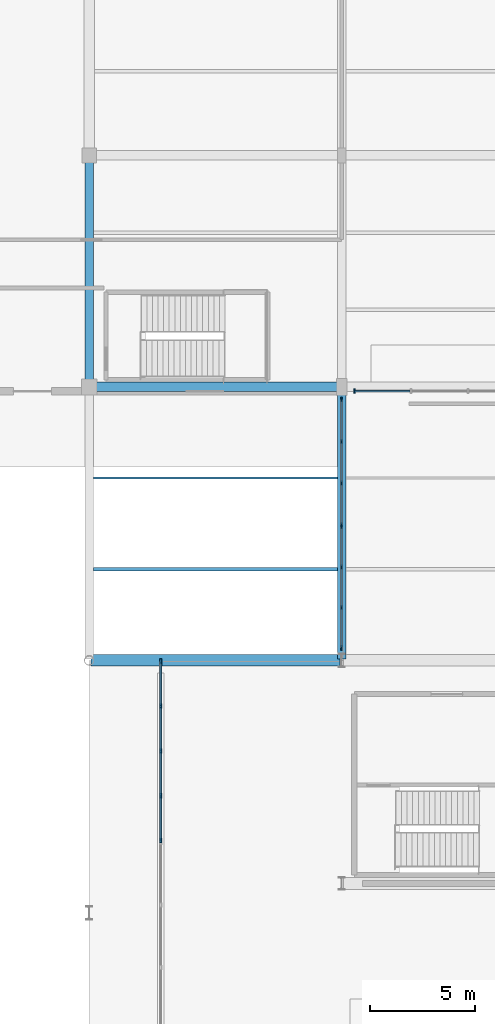
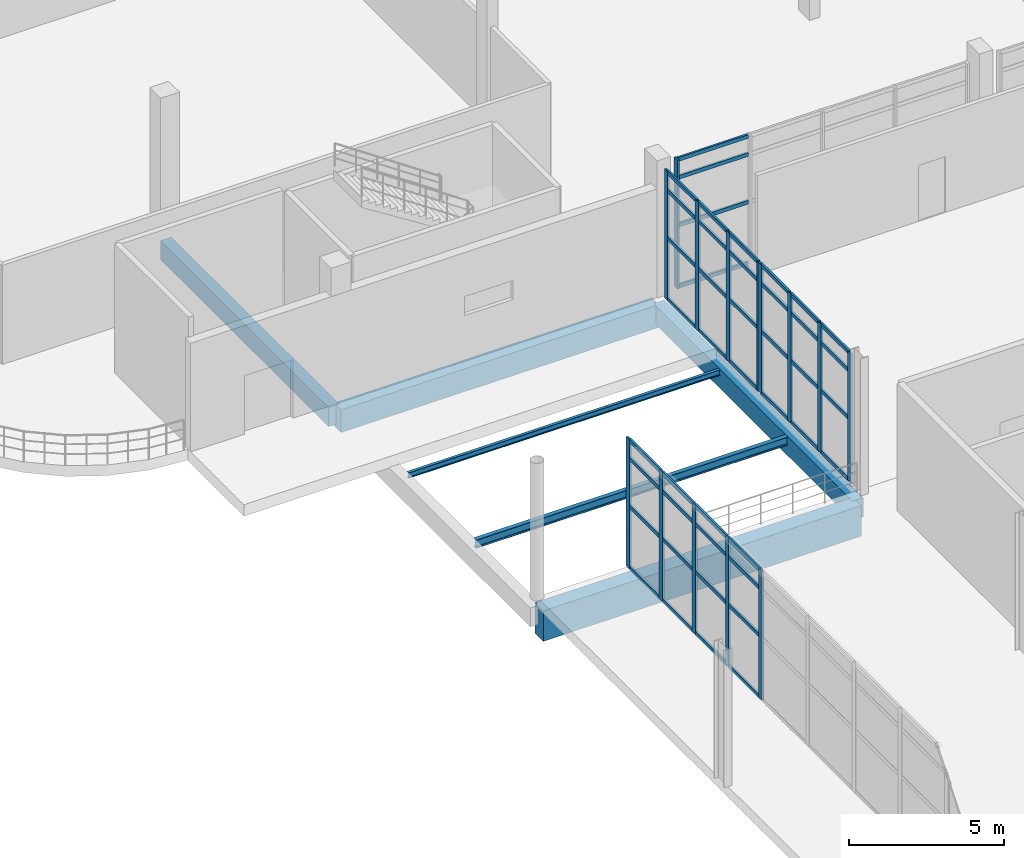
# One storey, part 24 of 85: 58 members, 6 beams, 4 elements without a shape of their own.
"""IFC4 building model written with IfcOpenShell, lengths in metres."""

from ifc_helpers import new_model, si_unit, direction, frame, origin, origin_2d, place, context, subcontext, project, spatial, rectangle, i_section, extrude, material, material_profile, profile_set, type_object, element, aggregate, save


model = new_model("IFC4")

# Units and contexts
model_context = context("Model", 3, precision=1e-05, world=origin(), true_north=direction((0.0, 1.0)))
body_context = subcontext(model_context, "Body", "Model", "MODEL_VIEW")
ifc_project = project(units=[si_unit("LENGTHUNIT", "METRE"), si_unit("AREAUNIT", "SQUARE_METRE"), si_unit("VOLUMEUNIT", "CUBIC_METRE"), si_unit("PLANEANGLEUNIT", "RADIAN"), si_unit("MASSUNIT", "GRAM", prefix="KILO"), si_unit("THERMODYNAMICTEMPERATUREUNIT", "KELVIN"), si_unit("POWERUNIT", "WATT")], contexts=[model_context])

# Site, building, storey
site_placement = place(None, origin())
site = spatial("IfcSite", under=ifc_project, at=site_placement, CompositionType="ELEMENT")
building_placement = place(site_placement, origin())
building = spatial("IfcBuilding", under=site, at=building_placement, Name="Solmara Park Aquatics Centre", CompositionType="ELEMENT")
storey_placement = place(building_placement, origin())
storey = spatial("IfcBuildingStorey", under=building, at=storey_placement, Name="L00", CompositionType="ELEMENT", Elevation=0.0)

# Curtain wall, members
ifc_material_1 = material(Name="Anodised Aluminium Curtain Wall Framing", Category="aluminium")
curtain_wall_type_1 = type_object("IfcCurtainWallType", Name="ARC-CW-SYS01", PredefinedType="USERDEFINED", material=ifc_material_1)
curtain_wall_1_placement = place(storey_placement, origin())
curtain_wall_1 = element("IfcCurtainWall", 1, at=curtain_wall_1_placement, inside=storey, type_object=curtain_wall_type_1, Name="Curtain Wall CW-019", ObjectType="CURTAIN WALL", PredefinedType="USERDEFINED")
ifc_material_2 = material(Name="Anodised Aluminium Alloy 6063-T6", Category="aluminium")
ifc_material_profile_1 = material_profile(ifc_material_2, rectangle(XDim=0.074951171875, YDim=0.219970703125, at=origin_2d()), Name="ALU MULLION 75x220")
ifc_profile_set_1 = profile_set([ifc_material_profile_1], Name="Anodised Aluminium Alloy 6063-T6")
member_type_1 = type_object("IfcMemberType", Name="ARC-CWM-75x220", PredefinedType="MULLION", material=ifc_profile_set_1)
member_1_placement = place(storey_placement, frame((16.0, 64.0400390625, 0.0), z_axis=(0.0, 0.0, 1.0), x_axis=(1.0, 0.0, 0.0)))
member_1 = element("IfcMember", 2, at=member_1_placement, type_object=member_type_1, Name="CW-019 mullion 1", PredefinedType="MULLION", context=body_context, shape_type="SweptSolid", body=[
    extrude(rectangle(XDim=0.074951171875, YDim=0.219970703125, at=origin_2d()), origin(), (0.0, 0.0, 1.0), 5.080078125),
])
member_2_placement = place(storey_placement, frame((16.0, 66.169921875, 0.0), z_axis=(0.0, 0.0, 1.0), x_axis=(1.0, 0.0, 0.0)))
member_2 = element("IfcMember", 3, at=member_2_placement, type_object=member_type_1, Name="CW-019 mullion 2", PredefinedType="MULLION", context=body_context, shape_type="SweptSolid", body=[
    extrude(rectangle(XDim=0.074951171875, YDim=0.219970703125, at=origin_2d()), origin(), (0.0, 0.0, 1.0), 5.080078125),
])
member_3_placement = place(storey_placement, frame((16.0, 68.300048828125, 0.0), z_axis=(0.0, 0.0, 1.0), x_axis=(1.0, 0.0, 0.0)))
member_3 = element("IfcMember", 4, at=member_3_placement, type_object=member_type_1, Name="CW-019 mullion 3", PredefinedType="MULLION", context=body_context, shape_type="SweptSolid", body=[
    extrude(rectangle(XDim=0.074951171875, YDim=0.219970703125, at=origin_2d()), origin(), (0.0, 0.0, 1.0), 5.080078125),
])
member_4_placement = place(storey_placement, frame((16.0, 70.429931640625, 0.0), z_axis=(0.0, 0.0, 1.0), x_axis=(1.0, 0.0, 0.0)))
member_4 = element("IfcMember", 5, at=member_4_placement, type_object=member_type_1, Name="CW-019 mullion 4", PredefinedType="MULLION", context=body_context, shape_type="SweptSolid", body=[
    extrude(rectangle(XDim=0.074951171875, YDim=0.219970703125, at=origin_2d()), origin(), (0.0, 0.0, 1.0), 5.080078125),
])
member_5_placement = place(storey_placement, frame((16.0, 72.56005859375, 0.0), z_axis=(0.0, 0.0, 1.0), x_axis=(1.0, 0.0, 0.0)))
member_5 = element("IfcMember", 6, at=member_5_placement, type_object=member_type_1, Name="CW-019 mullion 5", PredefinedType="MULLION", context=body_context, shape_type="SweptSolid", body=[
    extrude(rectangle(XDim=0.074951171875, YDim=0.219970703125, at=origin_2d()), origin(), (0.0, 0.0, 1.0), 5.080078125),
])

curtain_wall_type_2 = type_object("IfcCurtainWallType", Name="ARC-CW-SYS02", PredefinedType="USERDEFINED", material=ifc_material_1)
curtain_wall_2_placement = place(storey_placement, origin())
curtain_wall_2 = element("IfcCurtainWall", 7, at=curtain_wall_2_placement, inside=storey, type_object=curtain_wall_type_2, Name="Curtain Wall CW-097", ObjectType="CURTAIN WALL", PredefinedType="USERDEFINED")
member_6_placement = place(storey_placement, frame((24.60009765625, 73.199951171875, 0.0), z_axis=(0.0, 0.0, 1.0), x_axis=(1.0, 0.0, 0.0)))
member_6 = element("IfcMember", 8, at=member_6_placement, type_object=member_type_1, Name="CW-097 mullion 1", PredefinedType="MULLION", context=body_context, shape_type="SweptSolid", body=[
    extrude(rectangle(XDim=0.074951171875, YDim=0.219970703125, at=origin_2d()), origin(), (0.0, 0.0, 1.0), 5.080078125),
])
member_7_placement = place(storey_placement, frame((24.60009765625, 75.1201171875, 0.0), z_axis=(0.0, 0.0, 1.0), x_axis=(1.0, 0.0, 0.0)))
member_7 = element("IfcMember", 9, at=member_7_placement, type_object=member_type_1, Name="CW-097 mullion 2", PredefinedType="MULLION", context=body_context, shape_type="SweptSolid", body=[
    extrude(rectangle(XDim=0.074951171875, YDim=0.219970703125, at=origin_2d()), origin(), (0.0, 0.0, 1.0), 5.080078125),
])
member_8_placement = place(storey_placement, frame((24.60009765625, 77.0400390625, 0.0), z_axis=(0.0, 0.0, 1.0), x_axis=(1.0, 0.0, 0.0)))
member_8 = element("IfcMember", 10, at=member_8_placement, type_object=member_type_1, Name="CW-097 mullion 3", PredefinedType="MULLION", context=body_context, shape_type="SweptSolid", body=[
    extrude(rectangle(XDim=0.074951171875, YDim=0.219970703125, at=origin_2d()), origin(), (0.0, 0.0, 1.0), 5.080078125),
])
member_9_placement = place(storey_placement, frame((24.60009765625, 78.9599609375, 0.0), z_axis=(0.0, 0.0, 1.0), x_axis=(1.0, 0.0, 0.0)))
member_9 = element("IfcMember", 11, at=member_9_placement, type_object=member_type_1, Name="CW-097 mullion 4", PredefinedType="MULLION", context=body_context, shape_type="SweptSolid", body=[
    extrude(rectangle(XDim=0.074951171875, YDim=0.219970703125, at=origin_2d()), origin(), (0.0, 0.0, 1.0), 5.080078125),
])

curtain_wall_3_placement = place(storey_placement, origin())
curtain_wall_3 = element("IfcCurtainWall", 12, at=curtain_wall_3_placement, inside=storey, type_object=curtain_wall_type_2, Name="Curtain Wall CW-101", ObjectType="CURTAIN WALL", PredefinedType="USERDEFINED")
member_10_placement = place(storey_placement, frame((24.60009765625, 79.0400390625, 0.0), z_axis=(0.0, 0.0, 1.0), x_axis=(1.0, 0.0, 0.0)))
member_10 = element("IfcMember", 13, at=member_10_placement, type_object=member_type_1, Name="CW-101 mullion 1", PredefinedType="MULLION", context=body_context, shape_type="SweptSolid", body=[
    extrude(rectangle(XDim=0.074951171875, YDim=0.219970703125, at=origin_2d()), origin(), (0.0, 0.0, 1.0), 5.080078125),
])
member_11_placement = place(storey_placement, frame((24.60009765625, 81.026611328125, 0.0), z_axis=(0.0, 0.0, 1.0), x_axis=(1.0, 0.0, 0.0)))
member_11 = element("IfcMember", 14, at=member_11_placement, type_object=member_type_1, Name="CW-101 mullion 2", PredefinedType="MULLION", context=body_context, shape_type="SweptSolid", body=[
    extrude(rectangle(XDim=0.074951171875, YDim=0.219970703125, at=origin_2d()), origin(), (0.0, 0.0, 1.0), 5.080078125),
])
member_12_placement = place(storey_placement, frame((24.60009765625, 83.01318359375, 0.0), z_axis=(0.0, 0.0, 1.0), x_axis=(1.0, 0.0, 0.0)))
member_12 = element("IfcMember", 15, at=member_12_placement, type_object=member_type_1, Name="CW-101 mullion 3", PredefinedType="MULLION", context=body_context, shape_type="SweptSolid", body=[
    extrude(rectangle(XDim=0.074951171875, YDim=0.219970703125, at=origin_2d()), origin(), (0.0, 0.0, 1.0), 5.080078125),
])
member_13_placement = place(storey_placement, frame((24.60009765625, 85.0, 0.0), z_axis=(0.0, 0.0, 1.0), x_axis=(1.0, 0.0, 0.0)))
member_13 = element("IfcMember", 16, at=member_13_placement, type_object=member_type_1, Name="CW-101 mullion 4", PredefinedType="MULLION", context=body_context, shape_type="SweptSolid", body=[
    extrude(rectangle(XDim=0.074951171875, YDim=0.219970703125, at=origin_2d()), origin(), (0.0, 0.0, 1.0), 5.080078125),
])

# Curtain wall, member
curtain_wall_4_placement = place(storey_placement, origin())
curtain_wall_4 = element("IfcCurtainWall", 17, at=curtain_wall_4_placement, inside=storey, type_object=curtain_wall_type_2, Name="Curtain Wall CW-107", ObjectType="CURTAIN WALL", PredefinedType="USERDEFINED")
member_14_placement = place(storey_placement, frame((25.199951171875, 85.39990234375, 0.0), z_axis=(0.0, 0.0, 1.0), x_axis=(1.0, 0.0, 0.0)))
member_14 = element("IfcMember", 18, at=member_14_placement, type_object=member_type_1, Name="CW-107 mullion 1", PredefinedType="MULLION", context=body_context, shape_type="SweptSolid", body=[
    extrude(rectangle(XDim=0.074951171875, YDim=0.219970703125, at=origin_2d()), origin(), (0.0, 0.0, 1.0), 5.080078125),
])

# Member
ifc_material_profile_2 = material_profile(ifc_material_2, rectangle(XDim=0.074951171875, YDim=0.14990234375, at=origin_2d()), Name="ALU TRANSOM 75x150")
ifc_profile_set_2 = profile_set([ifc_material_profile_2], Name="Anodised Aluminium Alloy 6063-T6")
member_type_2 = type_object("IfcMemberType", Name="ARC-CWT-75x150", PredefinedType="USERDEFINED", material=ifc_profile_set_2)
member_15_placement = place(storey_placement, frame((16.0, 64.06005859375, 0.0400390625), z_axis=(0.0, 1.0, 0.0), x_axis=(-1.0, 0.0, 0.0)))
member_15 = element("IfcMember", 19, at=member_15_placement, type_object=member_type_2, Name="CW-019 transom 1", ObjectType="TRANSOM", PredefinedType="USERDEFINED", context=body_context, shape_type="SweptSolid", body=[
    extrude(rectangle(XDim=0.074951171875, YDim=0.14990234375, at=origin_2d()), origin(), (0.0, 0.0, 1.0), 2.050048828125),
])

member_16_placement = place(storey_placement, frame((16.0, 64.06005859375, 2.449951171875), z_axis=(0.0, 1.0, 0.0), x_axis=(-1.0, 0.0, 0.0)))
member_16 = element("IfcMember", 20, at=member_16_placement, type_object=member_type_2, Name="CW-019 transom 2", ObjectType="TRANSOM", PredefinedType="USERDEFINED", context=body_context, shape_type="SweptSolid", body=[
    extrude(rectangle(XDim=0.074951171875, YDim=0.14990234375, at=origin_2d()), origin(), (0.0, 0.0, 1.0), 2.050048828125),
])

member_17_placement = place(storey_placement, frame((16.0, 64.06005859375, 4.330078125), z_axis=(0.0, 1.0, 0.0), x_axis=(-1.0, 0.0, 0.0)))
member_17 = element("IfcMember", 21, at=member_17_placement, type_object=member_type_2, Name="CW-019 transom 3", ObjectType="TRANSOM", PredefinedType="USERDEFINED", context=body_context, shape_type="SweptSolid", body=[
    extrude(rectangle(XDim=0.074951171875, YDim=0.14990234375, at=origin_2d()), origin(), (0.0, 0.0, 1.0), 2.050048828125),
])

member_18_placement = place(storey_placement, frame((16.0, 64.06005859375, 5.0400390625), z_axis=(0.0, 1.0, 0.0), x_axis=(-1.0, 0.0, 0.0)))
member_18 = element("IfcMember", 22, at=member_18_placement, type_object=member_type_2, Name="CW-019 transom 4", ObjectType="TRANSOM", PredefinedType="USERDEFINED", context=body_context, shape_type="SweptSolid", body=[
    extrude(rectangle(XDim=0.074951171875, YDim=0.14990234375, at=origin_2d()), origin(), (0.0, 0.0, 1.0), 2.050048828125),
])

member_19_placement = place(storey_placement, frame((16.0, 66.18994140625, 0.0400390625), z_axis=(0.0, 1.0, 0.0), x_axis=(-1.0, 0.0, 0.0)))
member_19 = element("IfcMember", 23, at=member_19_placement, type_object=member_type_2, Name="CW-019 transom 5", ObjectType="TRANSOM", PredefinedType="USERDEFINED", context=body_context, shape_type="SweptSolid", body=[
    extrude(rectangle(XDim=0.074951171875, YDim=0.14990234375, at=origin_2d()), origin(), (0.0, 0.0, 1.0), 2.050048828125),
])

member_20_placement = place(storey_placement, frame((16.0, 66.18994140625, 2.449951171875), z_axis=(0.0, 1.0, 0.0), x_axis=(-1.0, 0.0, 0.0)))
member_20 = element("IfcMember", 24, at=member_20_placement, type_object=member_type_2, Name="CW-019 transom 6", ObjectType="TRANSOM", PredefinedType="USERDEFINED", context=body_context, shape_type="SweptSolid", body=[
    extrude(rectangle(XDim=0.074951171875, YDim=0.14990234375, at=origin_2d()), origin(), (0.0, 0.0, 1.0), 2.050048828125),
])

member_21_placement = place(storey_placement, frame((16.0, 66.18994140625, 4.330078125), z_axis=(0.0, 1.0, 0.0), x_axis=(-1.0, 0.0, 0.0)))
member_21 = element("IfcMember", 25, at=member_21_placement, type_object=member_type_2, Name="CW-019 transom 7", ObjectType="TRANSOM", PredefinedType="USERDEFINED", context=body_context, shape_type="SweptSolid", body=[
    extrude(rectangle(XDim=0.074951171875, YDim=0.14990234375, at=origin_2d()), origin(), (0.0, 0.0, 1.0), 2.050048828125),
])

member_22_placement = place(storey_placement, frame((16.0, 66.18994140625, 5.0400390625), z_axis=(0.0, 1.0, 0.0), x_axis=(-1.0, 0.0, 0.0)))
member_22 = element("IfcMember", 26, at=member_22_placement, type_object=member_type_2, Name="CW-019 transom 8", ObjectType="TRANSOM", PredefinedType="USERDEFINED", context=body_context, shape_type="SweptSolid", body=[
    extrude(rectangle(XDim=0.074951171875, YDim=0.14990234375, at=origin_2d()), origin(), (0.0, 0.0, 1.0), 2.050048828125),
])

member_23_placement = place(storey_placement, frame((16.0, 68.320068359375, 0.0400390625), z_axis=(0.0, 1.0, 0.0), x_axis=(-1.0, 0.0, 0.0)))
member_23 = element("IfcMember", 27, at=member_23_placement, type_object=member_type_2, Name="CW-019 transom 9", ObjectType="TRANSOM", PredefinedType="USERDEFINED", context=body_context, shape_type="SweptSolid", body=[
    extrude(rectangle(XDim=0.074951171875, YDim=0.14990234375, at=origin_2d()), origin(), (0.0, 0.0, 1.0), 2.050048828125),
])

member_24_placement = place(storey_placement, frame((16.0, 68.320068359375, 2.449951171875), z_axis=(0.0, 1.0, 0.0), x_axis=(-1.0, 0.0, 0.0)))
member_24 = element("IfcMember", 28, at=member_24_placement, type_object=member_type_2, Name="CW-019 transom 10", ObjectType="TRANSOM", PredefinedType="USERDEFINED", context=body_context, shape_type="SweptSolid", body=[
    extrude(rectangle(XDim=0.074951171875, YDim=0.14990234375, at=origin_2d()), origin(), (0.0, 0.0, 1.0), 2.050048828125),
])

member_25_placement = place(storey_placement, frame((16.0, 68.320068359375, 4.330078125), z_axis=(0.0, 1.0, 0.0), x_axis=(-1.0, 0.0, 0.0)))
member_25 = element("IfcMember", 29, at=member_25_placement, type_object=member_type_2, Name="CW-019 transom 11", ObjectType="TRANSOM", PredefinedType="USERDEFINED", context=body_context, shape_type="SweptSolid", body=[
    extrude(rectangle(XDim=0.074951171875, YDim=0.14990234375, at=origin_2d()), origin(), (0.0, 0.0, 1.0), 2.050048828125),
])

member_26_placement = place(storey_placement, frame((16.0, 68.320068359375, 5.0400390625), z_axis=(0.0, 1.0, 0.0), x_axis=(-1.0, 0.0, 0.0)))
member_26 = element("IfcMember", 30, at=member_26_placement, type_object=member_type_2, Name="CW-019 transom 12", ObjectType="TRANSOM", PredefinedType="USERDEFINED", context=body_context, shape_type="SweptSolid", body=[
    extrude(rectangle(XDim=0.074951171875, YDim=0.14990234375, at=origin_2d()), origin(), (0.0, 0.0, 1.0), 2.050048828125),
])

member_27_placement = place(storey_placement, frame((16.0, 70.449951171875, 0.0400390625), z_axis=(0.0, 1.0, 0.0), x_axis=(-1.0, 0.0, 0.0)))
member_27 = element("IfcMember", 31, at=member_27_placement, type_object=member_type_2, Name="CW-019 transom 13", ObjectType="TRANSOM", PredefinedType="USERDEFINED", context=body_context, shape_type="SweptSolid", body=[
    extrude(rectangle(XDim=0.074951171875, YDim=0.14990234375, at=origin_2d()), origin(), (0.0, 0.0, 1.0), 2.050048828125),
])

member_28_placement = place(storey_placement, frame((16.0, 70.449951171875, 2.449951171875), z_axis=(0.0, 1.0, 0.0), x_axis=(-1.0, 0.0, 0.0)))
member_28 = element("IfcMember", 32, at=member_28_placement, type_object=member_type_2, Name="CW-019 transom 14", ObjectType="TRANSOM", PredefinedType="USERDEFINED", context=body_context, shape_type="SweptSolid", body=[
    extrude(rectangle(XDim=0.074951171875, YDim=0.14990234375, at=origin_2d()), origin(), (0.0, 0.0, 1.0), 2.050048828125),
])

member_29_placement = place(storey_placement, frame((16.0, 70.449951171875, 4.330078125), z_axis=(0.0, 1.0, 0.0), x_axis=(-1.0, 0.0, 0.0)))
member_29 = element("IfcMember", 33, at=member_29_placement, type_object=member_type_2, Name="CW-019 transom 15", ObjectType="TRANSOM", PredefinedType="USERDEFINED", context=body_context, shape_type="SweptSolid", body=[
    extrude(rectangle(XDim=0.074951171875, YDim=0.14990234375, at=origin_2d()), origin(), (0.0, 0.0, 1.0), 2.050048828125),
])

member_30_placement = place(storey_placement, frame((16.0, 70.449951171875, 5.0400390625), z_axis=(0.0, 1.0, 0.0), x_axis=(-1.0, 0.0, 0.0)))
member_30 = element("IfcMember", 34, at=member_30_placement, type_object=member_type_2, Name="CW-019 transom 16", ObjectType="TRANSOM", PredefinedType="USERDEFINED", context=body_context, shape_type="SweptSolid", body=[
    extrude(rectangle(XDim=0.074951171875, YDim=0.14990234375, at=origin_2d()), origin(), (0.0, 0.0, 1.0), 2.050048828125),
])

aggregate(curtain_wall_1, [member_1, member_2, member_3, member_4, member_5, member_15, member_16, member_17, member_18, member_19, member_20, member_21, member_22, member_23, member_24, member_25, member_26, member_27, member_28, member_29, member_30])

member_31_placement = place(storey_placement, frame((24.60009765625, 73.219970703125, 0.0400390625), z_axis=(0.0, 1.0, 0.0), x_axis=(-1.0, 0.0, 0.0)))
member_31 = element("IfcMember", 35, at=member_31_placement, type_object=member_type_2, Name="CW-097 transom 1", ObjectType="TRANSOM", PredefinedType="USERDEFINED", context=body_context, shape_type="SweptSolid", body=[
    extrude(rectangle(XDim=0.074951171875, YDim=0.14990234375, at=origin_2d()), origin(), (0.0, 0.0, 1.0), 1.840087890625),
])

member_32_placement = place(storey_placement, frame((24.60009765625, 73.219970703125, 2.449951171875), z_axis=(0.0, 1.0, 0.0), x_axis=(-1.0, 0.0, 0.0)))
member_32 = element("IfcMember", 36, at=member_32_placement, type_object=member_type_2, Name="CW-097 transom 2", ObjectType="TRANSOM", PredefinedType="USERDEFINED", context=body_context, shape_type="SweptSolid", body=[
    extrude(rectangle(XDim=0.074951171875, YDim=0.14990234375, at=origin_2d()), origin(), (0.0, 0.0, 1.0), 1.840087890625),
])

member_33_placement = place(storey_placement, frame((24.60009765625, 73.219970703125, 4.330078125), z_axis=(0.0, 1.0, 0.0), x_axis=(-1.0, 0.0, 0.0)))
member_33 = element("IfcMember", 37, at=member_33_placement, type_object=member_type_2, Name="CW-097 transom 3", ObjectType="TRANSOM", PredefinedType="USERDEFINED", context=body_context, shape_type="SweptSolid", body=[
    extrude(rectangle(XDim=0.074951171875, YDim=0.14990234375, at=origin_2d()), origin(), (0.0, 0.0, 1.0), 1.840087890625),
])

member_34_placement = place(storey_placement, frame((24.60009765625, 73.219970703125, 5.0400390625), z_axis=(0.0, 1.0, 0.0), x_axis=(-1.0, 0.0, 0.0)))
member_34 = element("IfcMember", 38, at=member_34_placement, type_object=member_type_2, Name="CW-097 transom 4", ObjectType="TRANSOM", PredefinedType="USERDEFINED", context=body_context, shape_type="SweptSolid", body=[
    extrude(rectangle(XDim=0.074951171875, YDim=0.14990234375, at=origin_2d()), origin(), (0.0, 0.0, 1.0), 1.840087890625),
])

member_35_placement = place(storey_placement, frame((24.60009765625, 75.139892578125, 0.0400390625), z_axis=(0.0, 1.0, 0.0), x_axis=(-1.0, 0.0, 0.0)))
member_35 = element("IfcMember", 39, at=member_35_placement, type_object=member_type_2, Name="CW-097 transom 5", ObjectType="TRANSOM", PredefinedType="USERDEFINED", context=body_context, shape_type="SweptSolid", body=[
    extrude(rectangle(XDim=0.074951171875, YDim=0.14990234375, at=origin_2d()), origin(), (0.0, 0.0, 1.0), 1.840087890625),
])

member_36_placement = place(storey_placement, frame((24.60009765625, 75.139892578125, 2.449951171875), z_axis=(0.0, 1.0, 0.0), x_axis=(-1.0, 0.0, 0.0)))
member_36 = element("IfcMember", 40, at=member_36_placement, type_object=member_type_2, Name="CW-097 transom 6", ObjectType="TRANSOM", PredefinedType="USERDEFINED", context=body_context, shape_type="SweptSolid", body=[
    extrude(rectangle(XDim=0.074951171875, YDim=0.14990234375, at=origin_2d()), origin(), (0.0, 0.0, 1.0), 1.840087890625),
])

member_37_placement = place(storey_placement, frame((24.60009765625, 75.139892578125, 4.330078125), z_axis=(0.0, 1.0, 0.0), x_axis=(-1.0, 0.0, 0.0)))
member_37 = element("IfcMember", 41, at=member_37_placement, type_object=member_type_2, Name="CW-097 transom 7", ObjectType="TRANSOM", PredefinedType="USERDEFINED", context=body_context, shape_type="SweptSolid", body=[
    extrude(rectangle(XDim=0.074951171875, YDim=0.14990234375, at=origin_2d()), origin(), (0.0, 0.0, 1.0), 1.840087890625),
])

member_38_placement = place(storey_placement, frame((24.60009765625, 75.139892578125, 5.0400390625), z_axis=(0.0, 1.0, 0.0), x_axis=(-1.0, 0.0, 0.0)))
member_38 = element("IfcMember", 42, at=member_38_placement, type_object=member_type_2, Name="CW-097 transom 8", ObjectType="TRANSOM", PredefinedType="USERDEFINED", context=body_context, shape_type="SweptSolid", body=[
    extrude(rectangle(XDim=0.074951171875, YDim=0.14990234375, at=origin_2d()), origin(), (0.0, 0.0, 1.0), 1.840087890625),
])

member_39_placement = place(storey_placement, frame((24.60009765625, 77.06005859375, 0.0400390625), z_axis=(0.0, 1.0, 0.0), x_axis=(-1.0, 0.0, 0.0)))
member_39 = element("IfcMember", 43, at=member_39_placement, type_object=member_type_2, Name="CW-097 transom 9", ObjectType="TRANSOM", PredefinedType="USERDEFINED", context=body_context, shape_type="SweptSolid", body=[
    extrude(rectangle(XDim=0.074951171875, YDim=0.14990234375, at=origin_2d()), origin(), (0.0, 0.0, 1.0), 1.83984375),
])

member_40_placement = place(storey_placement, frame((24.60009765625, 77.06005859375, 2.449951171875), z_axis=(0.0, 1.0, 0.0), x_axis=(-1.0, 0.0, 0.0)))
member_40 = element("IfcMember", 44, at=member_40_placement, type_object=member_type_2, Name="CW-097 transom 10", ObjectType="TRANSOM", PredefinedType="USERDEFINED", context=body_context, shape_type="SweptSolid", body=[
    extrude(rectangle(XDim=0.074951171875, YDim=0.14990234375, at=origin_2d()), origin(), (0.0, 0.0, 1.0), 1.83984375),
])

member_41_placement = place(storey_placement, frame((24.60009765625, 77.06005859375, 4.330078125), z_axis=(0.0, 1.0, 0.0), x_axis=(-1.0, 0.0, 0.0)))
member_41 = element("IfcMember", 45, at=member_41_placement, type_object=member_type_2, Name="CW-097 transom 11", ObjectType="TRANSOM", PredefinedType="USERDEFINED", context=body_context, shape_type="SweptSolid", body=[
    extrude(rectangle(XDim=0.074951171875, YDim=0.14990234375, at=origin_2d()), origin(), (0.0, 0.0, 1.0), 1.83984375),
])

member_42_placement = place(storey_placement, frame((24.60009765625, 77.06005859375, 5.0400390625), z_axis=(0.0, 1.0, 0.0), x_axis=(-1.0, 0.0, 0.0)))
member_42 = element("IfcMember", 46, at=member_42_placement, type_object=member_type_2, Name="CW-097 transom 12", ObjectType="TRANSOM", PredefinedType="USERDEFINED", context=body_context, shape_type="SweptSolid", body=[
    extrude(rectangle(XDim=0.074951171875, YDim=0.14990234375, at=origin_2d()), origin(), (0.0, 0.0, 1.0), 1.83984375),
])

aggregate(curtain_wall_2, [member_6, member_7, member_8, member_9, member_31, member_32, member_33, member_34, member_35, member_36, member_37, member_38, member_39, member_40, member_41, member_42])

member_43_placement = place(storey_placement, frame((24.60009765625, 79.06005859375, 0.0400390625), z_axis=(0.0, 1.0, 0.0), x_axis=(-1.0, 0.0, 0.0)))
member_43 = element("IfcMember", 47, at=member_43_placement, type_object=member_type_2, Name="CW-101 transom 1", ObjectType="TRANSOM", PredefinedType="USERDEFINED", context=body_context, shape_type="SweptSolid", body=[
    extrude(rectangle(XDim=0.074951171875, YDim=0.14990234375, at=origin_2d()), origin(), (0.0, 0.0, 1.0), 1.90673828125),
])

member_44_placement = place(storey_placement, frame((24.60009765625, 79.06005859375, 2.449951171875), z_axis=(0.0, 1.0, 0.0), x_axis=(-1.0, 0.0, 0.0)))
member_44 = element("IfcMember", 48, at=member_44_placement, type_object=member_type_2, Name="CW-101 transom 2", ObjectType="TRANSOM", PredefinedType="USERDEFINED", context=body_context, shape_type="SweptSolid", body=[
    extrude(rectangle(XDim=0.074951171875, YDim=0.14990234375, at=origin_2d()), origin(), (0.0, 0.0, 1.0), 1.90673828125),
])

member_45_placement = place(storey_placement, frame((24.60009765625, 79.06005859375, 4.330078125), z_axis=(0.0, 1.0, 0.0), x_axis=(-1.0, 0.0, 0.0)))
member_45 = element("IfcMember", 49, at=member_45_placement, type_object=member_type_2, Name="CW-101 transom 3", ObjectType="TRANSOM", PredefinedType="USERDEFINED", context=body_context, shape_type="SweptSolid", body=[
    extrude(rectangle(XDim=0.074951171875, YDim=0.14990234375, at=origin_2d()), origin(), (0.0, 0.0, 1.0), 1.90673828125),
])

member_46_placement = place(storey_placement, frame((24.60009765625, 79.06005859375, 5.0400390625), z_axis=(0.0, 1.0, 0.0), x_axis=(-1.0, 0.0, 0.0)))
member_46 = element("IfcMember", 50, at=member_46_placement, type_object=member_type_2, Name="CW-101 transom 4", ObjectType="TRANSOM", PredefinedType="USERDEFINED", context=body_context, shape_type="SweptSolid", body=[
    extrude(rectangle(XDim=0.074951171875, YDim=0.14990234375, at=origin_2d()), origin(), (0.0, 0.0, 1.0), 1.90673828125),
])

member_47_placement = place(storey_placement, frame((24.60009765625, 81.046630859375, 0.0400390625), z_axis=(0.0, 1.0, 0.0), x_axis=(-1.0, 0.0, 0.0)))
member_47 = element("IfcMember", 51, at=member_47_placement, type_object=member_type_2, Name="CW-101 transom 5", ObjectType="TRANSOM", PredefinedType="USERDEFINED", context=body_context, shape_type="SweptSolid", body=[
    extrude(rectangle(XDim=0.074951171875, YDim=0.14990234375, at=origin_2d()), origin(), (0.0, 0.0, 1.0), 1.90673828125),
])

member_48_placement = place(storey_placement, frame((24.60009765625, 81.046630859375, 2.449951171875), z_axis=(0.0, 1.0, 0.0), x_axis=(-1.0, 0.0, 0.0)))
member_48 = element("IfcMember", 52, at=member_48_placement, type_object=member_type_2, Name="CW-101 transom 6", ObjectType="TRANSOM", PredefinedType="USERDEFINED", context=body_context, shape_type="SweptSolid", body=[
    extrude(rectangle(XDim=0.074951171875, YDim=0.14990234375, at=origin_2d()), origin(), (0.0, 0.0, 1.0), 1.90673828125),
])

member_49_placement = place(storey_placement, frame((24.60009765625, 81.046630859375, 4.330078125), z_axis=(0.0, 1.0, 0.0), x_axis=(-1.0, 0.0, 0.0)))
member_49 = element("IfcMember", 53, at=member_49_placement, type_object=member_type_2, Name="CW-101 transom 7", ObjectType="TRANSOM", PredefinedType="USERDEFINED", context=body_context, shape_type="SweptSolid", body=[
    extrude(rectangle(XDim=0.074951171875, YDim=0.14990234375, at=origin_2d()), origin(), (0.0, 0.0, 1.0), 1.90673828125),
])

member_50_placement = place(storey_placement, frame((24.60009765625, 81.046630859375, 5.0400390625), z_axis=(0.0, 1.0, 0.0), x_axis=(-1.0, 0.0, 0.0)))
member_50 = element("IfcMember", 54, at=member_50_placement, type_object=member_type_2, Name="CW-101 transom 8", ObjectType="TRANSOM", PredefinedType="USERDEFINED", context=body_context, shape_type="SweptSolid", body=[
    extrude(rectangle(XDim=0.074951171875, YDim=0.14990234375, at=origin_2d()), origin(), (0.0, 0.0, 1.0), 1.90673828125),
])

member_51_placement = place(storey_placement, frame((24.60009765625, 83.033203125, 0.0400390625), z_axis=(0.0, 1.0, 0.0), x_axis=(-1.0, 0.0, 0.0)))
member_51 = element("IfcMember", 55, at=member_51_placement, type_object=member_type_2, Name="CW-101 transom 9", ObjectType="TRANSOM", PredefinedType="USERDEFINED", context=body_context, shape_type="SweptSolid", body=[
    extrude(rectangle(XDim=0.074951171875, YDim=0.14990234375, at=origin_2d()), origin(), (0.0, 0.0, 1.0), 1.90673828125),
])

member_52_placement = place(storey_placement, frame((24.60009765625, 83.033203125, 2.449951171875), z_axis=(0.0, 1.0, 0.0), x_axis=(-1.0, 0.0, 0.0)))
member_52 = element("IfcMember", 56, at=member_52_placement, type_object=member_type_2, Name="CW-101 transom 10", ObjectType="TRANSOM", PredefinedType="USERDEFINED", context=body_context, shape_type="SweptSolid", body=[
    extrude(rectangle(XDim=0.074951171875, YDim=0.14990234375, at=origin_2d()), origin(), (0.0, 0.0, 1.0), 1.90673828125),
])

member_53_placement = place(storey_placement, frame((24.60009765625, 83.033203125, 4.330078125), z_axis=(0.0, 1.0, 0.0), x_axis=(-1.0, 0.0, 0.0)))
member_53 = element("IfcMember", 57, at=member_53_placement, type_object=member_type_2, Name="CW-101 transom 11", ObjectType="TRANSOM", PredefinedType="USERDEFINED", context=body_context, shape_type="SweptSolid", body=[
    extrude(rectangle(XDim=0.074951171875, YDim=0.14990234375, at=origin_2d()), origin(), (0.0, 0.0, 1.0), 1.90673828125),
])

member_54_placement = place(storey_placement, frame((24.60009765625, 83.033203125, 5.0400390625), z_axis=(0.0, 1.0, 0.0), x_axis=(-1.0, 0.0, 0.0)))
member_54 = element("IfcMember", 58, at=member_54_placement, type_object=member_type_2, Name="CW-101 transom 12", ObjectType="TRANSOM", PredefinedType="USERDEFINED", context=body_context, shape_type="SweptSolid", body=[
    extrude(rectangle(XDim=0.074951171875, YDim=0.14990234375, at=origin_2d()), origin(), (0.0, 0.0, 1.0), 1.90673828125),
])

aggregate(curtain_wall_3, [member_10, member_11, member_12, member_13, member_43, member_44, member_45, member_46, member_47, member_48, member_49, member_50, member_51, member_52, member_53, member_54])

member_55_placement = place(storey_placement, frame((25.219970703125, 85.39990234375, 0.0400390625), z_axis=(1.0, 0.0, 0.0), x_axis=(0.0, 1.0, 0.0)))
member_55 = element("IfcMember", 59, at=member_55_placement, type_object=member_type_2, Name="CW-107 transom 1", ObjectType="TRANSOM", PredefinedType="USERDEFINED", context=body_context, shape_type="SweptSolid", body=[
    extrude(rectangle(XDim=0.074951171875, YDim=0.14990234375, at=origin_2d()), origin(), (0.0, 0.0, 1.0), 2.6201171875),
])

member_56_placement = place(storey_placement, frame((25.219970703125, 85.39990234375, 2.449951171875), z_axis=(1.0, 0.0, 0.0), x_axis=(0.0, 1.0, 0.0)))
member_56 = element("IfcMember", 60, at=member_56_placement, type_object=member_type_2, Name="CW-107 transom 2", ObjectType="TRANSOM", PredefinedType="USERDEFINED", context=body_context, shape_type="SweptSolid", body=[
    extrude(rectangle(XDim=0.074951171875, YDim=0.14990234375, at=origin_2d()), origin(), (0.0, 0.0, 1.0), 2.6201171875),
])

member_57_placement = place(storey_placement, frame((25.219970703125, 85.39990234375, 4.330078125), z_axis=(1.0, 0.0, 0.0), x_axis=(0.0, 1.0, 0.0)))
member_57 = element("IfcMember", 61, at=member_57_placement, type_object=member_type_2, Name="CW-107 transom 3", ObjectType="TRANSOM", PredefinedType="USERDEFINED", context=body_context, shape_type="SweptSolid", body=[
    extrude(rectangle(XDim=0.074951171875, YDim=0.14990234375, at=origin_2d()), origin(), (0.0, 0.0, 1.0), 2.6201171875),
])

member_58_placement = place(storey_placement, frame((25.219970703125, 85.39990234375, 5.0400390625), z_axis=(1.0, 0.0, 0.0), x_axis=(0.0, 1.0, 0.0)))
member_58 = element("IfcMember", 62, at=member_58_placement, type_object=member_type_2, Name="CW-107 transom 4", ObjectType="TRANSOM", PredefinedType="USERDEFINED", context=body_context, shape_type="SweptSolid", body=[
    extrude(rectangle(XDim=0.074951171875, YDim=0.14990234375, at=origin_2d()), origin(), (0.0, 0.0, 1.0), 2.6201171875),
])

aggregate(curtain_wall_4, [member_14, member_55, member_56, member_57, member_58])

# Beams
ifc_material_3 = material(Name="Concrete C40/50", Category="concrete")
ifc_material_profile_3 = material_profile(ifc_material_3, rectangle(XDim=0.39990234375, YDim=0.75, at=origin_2d()), Name="RC 400x750")
ifc_profile_set_3 = profile_set([ifc_material_profile_3], Name="Concrete C40/50")
beam_type_1 = type_object("IfcBeamType", Name="STR-BM-RC400x750", PredefinedType="BEAM", material=ifc_profile_set_3)
beam_1_placement = place(storey_placement, frame((12.60009765625, 85.679931640625, -0.794921875), z_axis=(0.0, 1.0, 0.0), x_axis=(-1.0, 0.0, 0.0)))
element("IfcBeam", 63, at=beam_1_placement, inside=storey, type_object=beam_type_1, Name="Girder BM-L00-0111", PredefinedType="BEAM", context=body_context, shape_type="SweptSolid", body=[
    extrude(rectangle(XDim=0.39990234375, YDim=0.75, at=origin_2d()), origin(), (0.0, 0.0, 1.0), 10.840087890625),
])
beam_2_placement = place(storey_placement, frame((24.60009765625, 72.679931640625, -0.794921875), z_axis=(0.0, 1.0, 0.0), x_axis=(-1.0, 0.0, 0.0)))
element("IfcBeam", 64, at=beam_2_placement, inside=storey, type_object=beam_type_1, Name="Girder BM-L00-0113", PredefinedType="BEAM", context=body_context, shape_type="SweptSolid", body=[
    extrude(rectangle(XDim=0.39990234375, YDim=0.75, at=origin_2d()), origin(), (0.0, 0.0, 1.0), 12.840087890625),
])
ifc_material_profile_4 = material_profile(ifc_material_3, rectangle(XDim=0.449951171875, YDim=0.89990234375, at=origin_2d()), Name="RC 450x900")
ifc_profile_set_4 = profile_set([ifc_material_profile_4], Name="Concrete C40/50")
beam_type_2 = type_object("IfcBeamType", Name="STR-BM-RC450x900", PredefinedType="BEAM", material=ifc_profile_set_4)
beam_3_placement = place(storey_placement, frame((12.679931640625, 85.60009765625, -0.8701171875), z_axis=(1.0, 0.0, 0.0), x_axis=(0.0, 1.0, 0.0)))
element("IfcBeam", 65, at=beam_3_placement, inside=storey, type_object=beam_type_2, Name="Girder BM-L00-0098", PredefinedType="BEAM", context=body_context, shape_type="SweptSolid", body=[
    extrude(rectangle(XDim=0.449951171875, YDim=0.89990234375, at=origin_2d()), origin(), (0.0, 0.0, 1.0), 11.840087890625),
])
ifc_material_profile_5 = material_profile(ifc_material_3, rectangle(XDim=0.550048828125, YDim=1.199951171875, at=origin_2d()), Name="RC 550x1200")
ifc_profile_set_5 = profile_set([ifc_material_profile_5], Name="Concrete C40/50")
beam_type_3 = type_object("IfcBeamType", Name="STR-BM-RC550x1200", PredefinedType="BEAM", material=ifc_profile_set_5)
beam_4_placement = place(storey_placement, frame((12.679931640625, 72.60009765625, -1.02001953125), z_axis=(1.0, 0.0, 0.0), x_axis=(0.0, 1.0, 0.0)))
element("IfcBeam", 66, at=beam_4_placement, inside=storey, type_object=beam_type_3, Name="Girder BM-L00-0013", PredefinedType="BEAM", context=body_context, shape_type="SweptSolid", body=[
    extrude(rectangle(XDim=0.550048828125, YDim=1.199951171875, at=origin_2d()), origin(), (0.0, 0.0, 1.0), 11.840087890625),
])
ifc_material_4 = material(Name="Structural Steel S355", Category="steel")
ifc_material_profile_6 = material_profile(ifc_material_4, i_section(OverallWidth=0.110107421875, OverallDepth=0.219970703125, WebThickness=0.005859375, FlangeThickness=0.00927734375, FilletRadius=0.011962890625, at=origin_2d()), Name="IPE 220")
ifc_profile_set_6 = profile_set([ifc_material_profile_6], Name="Structural Steel S355")
beam_type_4 = type_object("IfcBeamType", Name="STR-JST-IPE220", PredefinedType="JOIST", material=ifc_profile_set_6)
beam_5_placement = place(storey_placement, frame((12.800048828125, 81.2666015625, -0.530029296875), z_axis=(1.0, 0.0, 0.0), x_axis=(0.0, 1.0, 0.0)))
element("IfcBeam", 67, at=beam_5_placement, inside=storey, type_object=beam_type_4, Name="Floor Joist JST-L00-0059", PredefinedType="JOIST", context=body_context, shape_type="SweptSolid", body=[
    extrude(i_section(OverallWidth=0.110107421875, OverallDepth=0.219970703125, WebThickness=0.005859375, FlangeThickness=0.00927734375, FilletRadius=0.011962890625, at=origin_2d()), origin(), (0.0, 0.0, 1.0), 11.599853515625),
])
ifc_material_profile_7 = material_profile(ifc_material_4, i_section(OverallWidth=0.159912109375, OverallDepth=0.330078125, WebThickness=0.007568359375, FlangeThickness=0.011474609375, FilletRadius=0.01806640625, at=origin_2d()), Name="IPE 330")
ifc_profile_set_7 = profile_set([ifc_material_profile_7], Name="Structural Steel S355")
beam_type_5 = type_object("IfcBeamType", Name="STR-JST-IPE330", PredefinedType="JOIST", material=ifc_profile_set_7)
beam_6_placement = place(storey_placement, frame((12.800048828125, 76.933349609375, -0.5849609375), z_axis=(1.0, 0.0, 0.0), x_axis=(0.0, 1.0, 0.0)))
element("IfcBeam", 68, at=beam_6_placement, inside=storey, type_object=beam_type_5, Name="Floor Joist JST-L00-0058", PredefinedType="JOIST", context=body_context, shape_type="SweptSolid", body=[
    extrude(i_section(OverallWidth=0.159912109375, OverallDepth=0.330078125, WebThickness=0.007568359375, FlangeThickness=0.011474609375, FilletRadius=0.01806640625, at=origin_2d()), origin(), (0.0, 0.0, 1.0), 11.599853515625),
])

save(model, "model.ifc")
